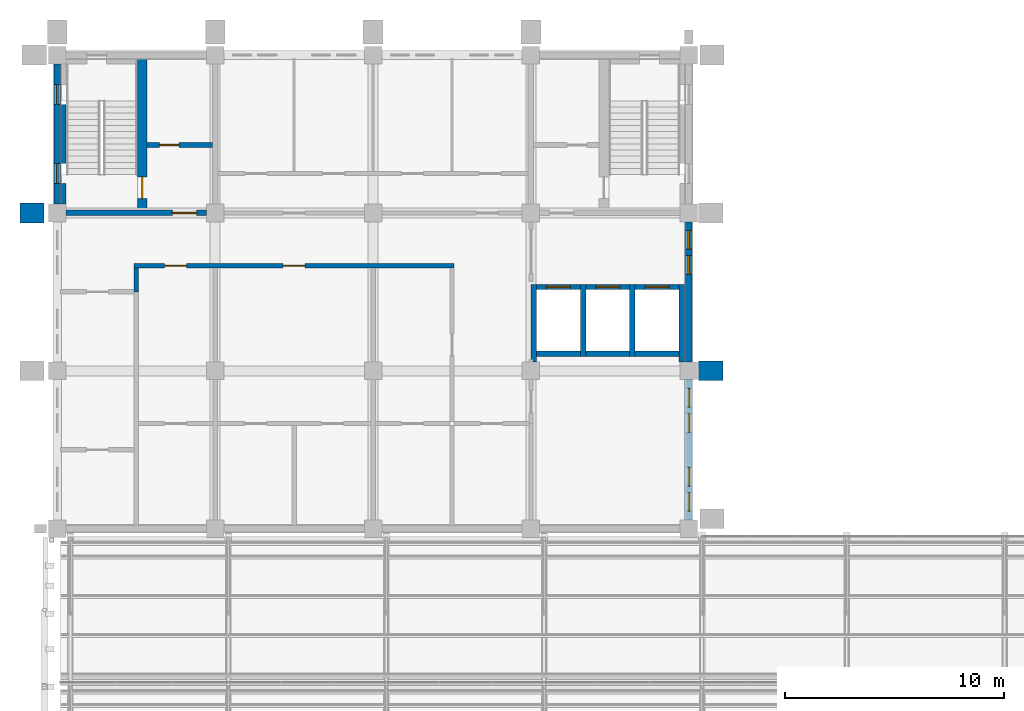
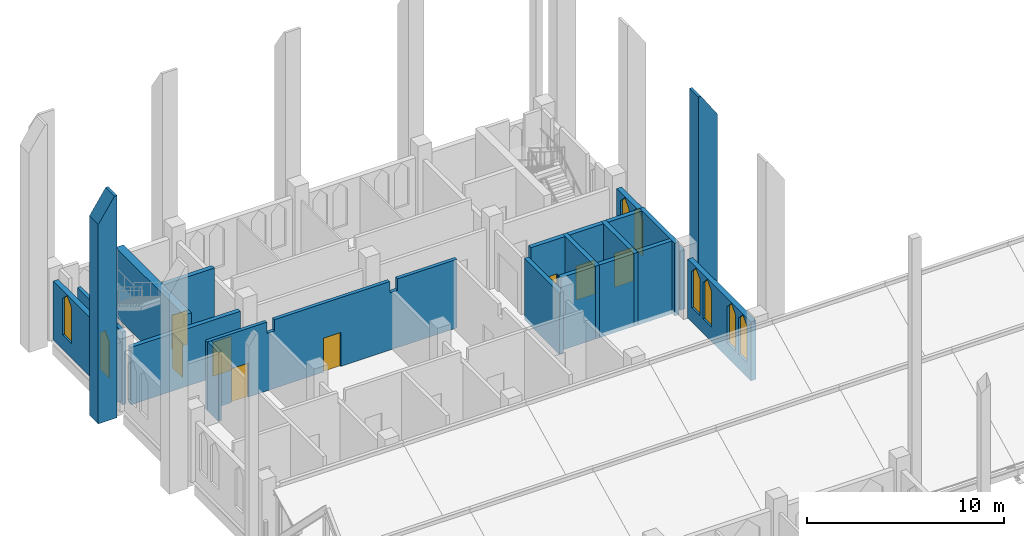
# One storey, part 22 of 29: 22 walls, 8 doors, 8 windows, 16 openings.
"""IFC4 building model written with IfcOpenShell, lengths in metres."""

from ifc_helpers import new_model, si_unit, direction, frame, frame_2d, origin, place, context, subcontext, project, spatial, polyline, rectangle, outline, extrude, material, layer, layer_set, type_object, element, fill, save


model = new_model("IFC4")

# Units and contexts
model_context = context("Model", 3, precision=1e-05, world=origin(), true_north=direction((0.0, 1.0)))
body_context = subcontext(model_context, "Body", "Model", "MODEL_VIEW")
ifc_project = project(units=[si_unit("LENGTHUNIT", "METRE"), si_unit("AREAUNIT", "SQUARE_METRE"), si_unit("VOLUMEUNIT", "CUBIC_METRE"), si_unit("PLANEANGLEUNIT", "RADIAN"), si_unit("MASSUNIT", "GRAM", prefix="KILO")], contexts=[model_context])

# Site, building, storey
site_placement = place(None, origin())
site = spatial("IfcSite", under=ifc_project, at=site_placement, CompositionType="ELEMENT")
building_placement = place(site_placement, origin())
building = spatial("IfcBuilding", under=site, at=building_placement, Name="Silangan Lancet Faculty of Sciences", CompositionType="ELEMENT")
storey_placement = place(building_placement, frame((0.0, 0.0, 40.800048828125)))
storey = spatial("IfcBuildingStorey", under=building, at=storey_placement, Name="L08", CompositionType="ELEMENT", Elevation=40.800048828125)

# Wall, openings, windows
ifc_material_1 = material(Name="Concrete C40/50 precast", Category="concrete")
ifc_layer_1 = layer(ifc_material_1, 0.300048828125)
ifc_layer_set_1 = layer_set([ifc_layer_1], Name="Concrete C40/50 precast")
wall_type_1 = type_object("IfcWallType", Name="EW1 Precast cladding wall", PredefinedType="STANDARD", material=ifc_layer_set_1)
wall_1_placement = place(storey_placement, frame((28.800048828125, 36.39990234375, 0.0), z_axis=(0.0, 0.0, 1.0), x_axis=(0.0, 1.0, 0.0)))
wall_1 = element("IfcWall", 1, at=wall_1_placement, inside=storey, type_object=wall_type_1, Name="EW-L08-E-NT-00", PredefinedType="STANDARD", context=body_context, shape_type="SweptSolid", body=[
    extrude(rectangle(XDim=6.400146484375, YDim=0.300048828125, at=frame_2d((3.2001953125, 0.0))), origin(), (0.0, 0.0, 1.0), 3.64990234375),
])
opening_1_placement = place(wall_1_placement, frame((0.39990234375, 0.0, 0.89990234375)))
opening_1 = element("IfcOpeningElement", 2, at=opening_1_placement, cuts=wall_1, Name="Opening W21", PredefinedType="OPENING", context=body_context, shape_type="SweptSolid", body=[
    extrude(outline(polyline([(0.0, 0.0), (0.85009765625, 0.0), (0.85009765625, 2.25), (0.425048828125, 2.699951171875), (0.0, 2.25), (0.0, 0.0)])), frame((0.0, 0.159912109375, 0.0), z_axis=(0.0, -1.0, 0.0), x_axis=(1.0, 0.0, 0.0)), (0.0, 0.0, 1.0), 0.320068359375),
])
opening_2_placement = place(wall_1_placement, frame((1.550048828125, 0.0, 0.89990234375)))
opening_2 = element("IfcOpeningElement", 3, at=opening_2_placement, cuts=wall_1, Name="Opening W21", PredefinedType="OPENING", context=body_context, shape_type="SweptSolid", body=[
    extrude(outline(polyline([(0.0, 0.0), (0.85009765625, 0.0), (0.85009765625, 2.25), (0.425048828125, 2.699951171875), (0.0, 2.25), (0.0, 0.0)])), frame((0.0, 0.159912109375, 0.0), z_axis=(0.0, -1.0, 0.0), x_axis=(1.0, 0.0, 0.0)), (0.0, 0.0, 1.0), 0.320068359375),
])
opening_3_placement = place(wall_1_placement, frame((4.0, 0.0, 0.89990234375)))
opening_3 = element("IfcOpeningElement", 4, at=opening_3_placement, cuts=wall_1, Name="Opening W21", PredefinedType="OPENING", context=body_context, shape_type="SweptSolid", body=[
    extrude(outline(polyline([(0.0, 0.0), (0.85009765625, 0.0), (0.85009765625, 2.25), (0.425048828125, 2.699951171875), (0.0, 2.25), (0.0, 0.0)])), frame((0.0, 0.159912109375, 0.0), z_axis=(0.0, -1.0, 0.0), x_axis=(1.0, 0.0, 0.0)), (0.0, 0.0, 1.0), 0.320068359375),
])
opening_4_placement = place(wall_1_placement, frame((5.14990234375, 0.0, 0.89990234375)))
opening_4 = element("IfcOpeningElement", 5, at=opening_4_placement, cuts=wall_1, Name="Opening W21", PredefinedType="OPENING", context=body_context, shape_type="SweptSolid", body=[
    extrude(outline(polyline([(0.0, 0.0), (0.85009765625, 0.0), (0.85009765625, 2.25), (0.425048828125, 2.699951171875), (0.0, 2.25), (0.0, 0.0)])), frame((0.0, 0.159912109375, 0.0), z_axis=(0.0, -1.0, 0.0), x_axis=(1.0, 0.0, 0.0)), (0.0, 0.0, 1.0), 0.320068359375),
])
ifc_material_2 = material(Name="Aluminium frame, laminated double glazing", Category="aluminium")
window_type_1 = type_object("IfcWindowType", Name="W21 Lancet window 850 x 2700", PartitioningType="SINGLE_PANEL", PredefinedType="WINDOW", material=ifc_material_2)
window_1_placement = place(opening_1_placement, origin())
window_1 = element("IfcWindow", 6, at=window_1_placement, inside=storey, type_object=window_type_1, Name="WIN-L08-E-NT-00a1", OverallHeight=2.699951171875, OverallWidth=0.85009765625, PartitioningType="SINGLE_PANEL", PredefinedType="WINDOW", context=body_context, shape_type="SweptSolid", body=[
    extrude(outline(polyline([(0.0, 0.0), (0.85009765625, 0.0), (0.85009765625, 2.25), (0.425048828125, 2.699951171875), (0.0, 2.25), (0.0, 0.0)])), frame((0.0, 0.030029296875, 0.0), z_axis=(0.0, -1.0, 0.0), x_axis=(1.0, 0.0, 0.0)), (0.0, 0.0, 1.0), 0.06005859375),
])
fill(opening_1, window_1)
window_2_placement = place(opening_2_placement, origin())
window_2 = element("IfcWindow", 7, at=window_2_placement, inside=storey, type_object=window_type_1, Name="WIN-L08-E-NT-00a2", OverallHeight=2.699951171875, OverallWidth=0.85009765625, PartitioningType="SINGLE_PANEL", PredefinedType="WINDOW", context=body_context, shape_type="SweptSolid", body=[
    extrude(outline(polyline([(0.0, 0.0), (0.85009765625, 0.0), (0.85009765625, 2.25), (0.425048828125, 2.699951171875), (0.0, 2.25), (0.0, 0.0)])), frame((0.0, 0.030029296875, 0.0), z_axis=(0.0, -1.0, 0.0), x_axis=(1.0, 0.0, 0.0)), (0.0, 0.0, 1.0), 0.06005859375),
])
fill(opening_2, window_2)
window_3_placement = place(opening_3_placement, origin())
window_3 = element("IfcWindow", 8, at=window_3_placement, inside=storey, type_object=window_type_1, Name="WIN-L08-E-NT-00b1", OverallHeight=2.699951171875, OverallWidth=0.85009765625, PartitioningType="SINGLE_PANEL", PredefinedType="WINDOW", context=body_context, shape_type="SweptSolid", body=[
    extrude(outline(polyline([(0.0, 0.0), (0.85009765625, 0.0), (0.85009765625, 2.25), (0.425048828125, 2.699951171875), (0.0, 2.25), (0.0, 0.0)])), frame((0.0, 0.030029296875, 0.0), z_axis=(0.0, -1.0, 0.0), x_axis=(1.0, 0.0, 0.0)), (0.0, 0.0, 1.0), 0.06005859375),
])
fill(opening_3, window_3)
window_4_placement = place(opening_4_placement, origin())
window_4 = element("IfcWindow", 9, at=window_4_placement, inside=storey, type_object=window_type_1, Name="WIN-L08-E-NT-00b2", OverallHeight=2.699951171875, OverallWidth=0.85009765625, PartitioningType="SINGLE_PANEL", PredefinedType="WINDOW", context=body_context, shape_type="SweptSolid", body=[
    extrude(outline(polyline([(0.0, 0.0), (0.85009765625, 0.0), (0.85009765625, 2.25), (0.425048828125, 2.699951171875), (0.0, 2.25), (0.0, 0.0)])), frame((0.0, 0.030029296875, 0.0), z_axis=(0.0, -1.0, 0.0), x_axis=(1.0, 0.0, 0.0)), (0.0, 0.0, 1.0), 0.06005859375),
])
fill(opening_4, window_4)

wall_2_placement = place(storey_placement, frame((28.800048828125, 43.60009765625, 0.0), z_axis=(0.0, 0.0, 1.0), x_axis=(0.0, 1.0, 0.0)))
wall_2 = element("IfcWall", 10, at=wall_2_placement, inside=storey, type_object=wall_type_1, Name="EW-L08-E-NT-01", PredefinedType="STANDARD", context=body_context, shape_type="SweptSolid", body=[
    extrude(rectangle(XDim=6.39990234375, YDim=0.300048828125, at=frame_2d((3.199951171875, 0.0))), origin(), (0.0, 0.0, 1.0), 3.64990234375),
])
opening_5_placement = place(wall_2_placement, frame((4.0, 0.0, 0.89990234375)))
opening_5 = element("IfcOpeningElement", 11, at=opening_5_placement, cuts=wall_2, Name="Opening W21", PredefinedType="OPENING", context=body_context, shape_type="SweptSolid", body=[
    extrude(outline(polyline([(0.0, 0.0), (0.85009765625, 0.0), (0.85009765625, 2.25), (0.425048828125, 2.699951171875), (0.0, 2.25), (0.0, 0.0)])), frame((0.0, 0.159912109375, 0.0), z_axis=(0.0, -1.0, 0.0), x_axis=(1.0, 0.0, 0.0)), (0.0, 0.0, 1.0), 0.320068359375),
])
opening_6_placement = place(wall_2_placement, frame((5.14990234375, 0.0, 0.89990234375)))
opening_6 = element("IfcOpeningElement", 12, at=opening_6_placement, cuts=wall_2, Name="Opening W21", PredefinedType="OPENING", context=body_context, shape_type="SweptSolid", body=[
    extrude(outline(polyline([(0.0, 0.0), (0.85009765625, 0.0), (0.85009765625, 2.25), (0.425048828125, 2.699951171875), (0.0, 2.25), (0.0, 0.0)])), frame((0.0, 0.159912109375, 0.0), z_axis=(0.0, -1.0, 0.0), x_axis=(1.0, 0.0, 0.0)), (0.0, 0.0, 1.0), 0.320068359375),
])
window_5_placement = place(opening_5_placement, origin())
window_5 = element("IfcWindow", 13, at=window_5_placement, inside=storey, type_object=window_type_1, Name="WIN-L08-E-NT-01b1", OverallHeight=2.699951171875, OverallWidth=0.85009765625, PartitioningType="SINGLE_PANEL", PredefinedType="WINDOW", context=body_context, shape_type="SweptSolid", body=[
    extrude(outline(polyline([(0.0, 0.0), (0.85009765625, 0.0), (0.85009765625, 2.25), (0.425048828125, 2.699951171875), (0.0, 2.25), (0.0, 0.0)])), frame((0.0, 0.030029296875, 0.0), z_axis=(0.0, -1.0, 0.0), x_axis=(1.0, 0.0, 0.0)), (0.0, 0.0, 1.0), 0.06005859375),
])
fill(opening_5, window_5)
window_6_placement = place(opening_6_placement, origin())
window_6 = element("IfcWindow", 14, at=window_6_placement, inside=storey, type_object=window_type_1, Name="WIN-L08-E-NT-01b2", OverallHeight=2.699951171875, OverallWidth=0.85009765625, PartitioningType="SINGLE_PANEL", PredefinedType="WINDOW", context=body_context, shape_type="SweptSolid", body=[
    extrude(outline(polyline([(0.0, 0.0), (0.85009765625, 0.0), (0.85009765625, 2.25), (0.425048828125, 2.699951171875), (0.0, 2.25), (0.0, 0.0)])), frame((0.0, 0.030029296875, 0.0), z_axis=(0.0, -1.0, 0.0), x_axis=(1.0, 0.0, 0.0)), (0.0, 0.0, 1.0), 0.06005859375),
])
fill(opening_6, window_6)

ifc_material_3 = material(Name="Concrete C40/50 precast", Category="concrete")
ifc_layer_2 = layer(ifc_material_3, 0.300048828125)
ifc_layer_set_2 = layer_set([ifc_layer_2], Name="Concrete C40/50 precast")
wall_type_2 = type_object("IfcWallType", Name="EW2 Turret enclosure wall", PredefinedType="STANDARD", material=ifc_layer_set_2)
wall_3_placement = place(storey_placement, frame((0.0, 50.800048828125, 0.0), z_axis=(0.0, 0.0, 1.0), x_axis=(0.0, 1.0, 0.0)))
wall_3 = element("IfcWall", 15, at=wall_3_placement, inside=storey, type_object=wall_type_2, Name="EW-L08-W-NT-02", PredefinedType="STANDARD", context=body_context, shape_type="SweptSolid", body=[
    extrude(rectangle(XDim=6.39990234375, YDim=0.300048828125, at=frame_2d((3.199951171875, 0.0))), origin(), (0.0, 0.0, 1.0), 3.64990234375),
])
opening_7_placement = place(wall_3_placement, frame((0.949951171875, 0.0, 0.89990234375)))
opening_7 = element("IfcOpeningElement", 16, at=opening_7_placement, cuts=wall_3, Name="Opening W22", PredefinedType="OPENING", context=body_context, shape_type="SweptSolid", body=[
    extrude(outline(polyline([(0.0, 0.0), (0.89990234375, 0.0), (0.89990234375, 2.25), (0.449951171875, 2.699951171875), (0.0, 2.25), (0.0, 0.0)])), frame((0.0, 0.159912109375, 0.0), z_axis=(0.0, -1.0, 0.0), x_axis=(1.0, 0.0, 0.0)), (0.0, 0.0, 1.0), 0.320068359375),
])
opening_8_placement = place(wall_3_placement, frame((4.550048828125, 0.0, 0.89990234375)))
opening_8 = element("IfcOpeningElement", 17, at=opening_8_placement, cuts=wall_3, Name="Opening W22", PredefinedType="OPENING", context=body_context, shape_type="SweptSolid", body=[
    extrude(outline(polyline([(0.0, 0.0), (0.89990234375, 0.0), (0.89990234375, 2.25), (0.449951171875, 2.699951171875), (0.0, 2.25), (0.0, 0.0)])), frame((0.0, 0.159912109375, 0.0), z_axis=(0.0, -1.0, 0.0), x_axis=(1.0, 0.0, 0.0)), (0.0, 0.0, 1.0), 0.320068359375),
])
ifc_material_4 = material(Name="Aluminium frame, laminated double glazing", Category="aluminium")
window_type_2 = type_object("IfcWindowType", Name="W22 Lancet window 900 x 2700", PartitioningType="SINGLE_PANEL", PredefinedType="WINDOW", material=ifc_material_4)
window_7_placement = place(opening_7_placement, origin())
window_7 = element("IfcWindow", 18, at=window_7_placement, inside=storey, type_object=window_type_2, Name="WIN-L08-W-NT-02a", OverallHeight=2.699951171875, OverallWidth=0.89990234375, PartitioningType="SINGLE_PANEL", PredefinedType="WINDOW", context=body_context, shape_type="SweptSolid", body=[
    extrude(outline(polyline([(0.0, 0.0), (0.89990234375, 0.0), (0.89990234375, 2.25), (0.449951171875, 2.699951171875), (0.0, 2.25), (0.0, 0.0)])), frame((0.0, 0.030029296875, 0.0), z_axis=(0.0, -1.0, 0.0), x_axis=(1.0, 0.0, 0.0)), (0.0, 0.0, 1.0), 0.06005859375),
])
fill(opening_7, window_7)
window_8_placement = place(opening_8_placement, origin())
window_8 = element("IfcWindow", 19, at=window_8_placement, inside=storey, type_object=window_type_2, Name="WIN-L08-W-NT-02b", OverallHeight=2.699951171875, OverallWidth=0.89990234375, PartitioningType="SINGLE_PANEL", PredefinedType="WINDOW", context=body_context, shape_type="SweptSolid", body=[
    extrude(outline(polyline([(0.0, 0.0), (0.89990234375, 0.0), (0.89990234375, 2.25), (0.449951171875, 2.699951171875), (0.0, 2.25), (0.0, 0.0)])), frame((0.0, 0.030029296875, 0.0), z_axis=(0.0, -1.0, 0.0), x_axis=(1.0, 0.0, 0.0)), (0.0, 0.0, 1.0), 0.06005859375),
])
fill(opening_8, window_8)

# Walls
ifc_material_5 = material(Name="Concrete C40/50 precast", Category="concrete")
ifc_layer_3 = layer(ifc_material_5, 0.89990234375)
ifc_layer_set_3 = layer_set([ifc_layer_3], Name="Concrete C40/50 precast")
wall_type_3 = type_object("IfcWallType", Name="FN27 Buttress Fin column line stage 3 13750", PredefinedType="POLYGONAL", material=ifc_layer_set_3)
wall_4_placement = place(storey_placement, frame((-0.60009765625, 50.39990234375, -0.25), z_axis=(0.0, 0.0, 1.0), x_axis=(-1.0, 0.0, 0.0)))
element("IfcWall", 20, at=wall_4_placement, inside=storey, type_object=wall_type_3, Name="FINC-W-NT-02-S3", PredefinedType="POLYGONAL", context=body_context, shape_type="SweptSolid", body=[
    extrude(outline(polyline([(1.10009765625, 0.0), (1.10009765625, 12.324951171875), (0.14990234375, 13.75), (0.0, 13.75), (0.0, 0.0), (1.10009765625, 0.0)])), frame((0.0, 0.449951171875, 0.0), z_axis=(0.0, -1.0, 0.0), x_axis=(1.0, 0.0, 0.0)), (0.0, 0.0, 1.0), 0.89990234375),
])
ifc_material_6 = material(Name="Concrete C40/50 precast", Category="concrete")
ifc_layer_4 = layer(ifc_material_6, 0.89990234375)
ifc_layer_set_4 = layer_set([ifc_layer_4], Name="Concrete C40/50 precast")
wall_type_4 = type_object("IfcWallType", Name="FN48 Buttress Fin column line stage 3 13750", PredefinedType="POLYGONAL", material=ifc_layer_set_4)
wall_5_placement = place(storey_placement, frame((29.25, 43.199951171875, -0.25), z_axis=(0.0, 0.0, 1.0), x_axis=(1.0, 0.0, 0.0)))
element("IfcWall", 21, at=wall_5_placement, inside=storey, type_object=wall_type_4, Name="FINC-E-NT-02-S3", PredefinedType="POLYGONAL", context=body_context, shape_type="SweptSolid", body=[
    extrude(outline(polyline([(1.10009765625, 0.0), (1.10009765625, 12.324951171875), (0.14990234375, 13.75), (0.0, 13.75), (0.0, 0.0), (1.10009765625, 0.0)])), frame((0.0, 0.449951171875, 0.0), z_axis=(0.0, -1.0, 0.0), x_axis=(1.0, 0.0, 0.0)), (0.0, 0.0, 1.0), 0.89990234375),
])

# Wall, openings, doors
ifc_material_7 = material(Name="Hollow block masonry fm 7 MPa", Category="masonry")
ifc_layer_5 = layer(ifc_material_7, 0.199951171875)
ifc_layer_set_5 = layer_set([ifc_layer_5], Name="Hollow block masonry fm 7 MPa")
wall_type_5 = type_object("IfcWallType", Name="Interior wall PW1 Corridor wall CHB 200", PredefinedType="PARTITIONING", material=ifc_layer_set_5)
wall_6_placement = place(storey_placement, frame((3.5, 48.0, 0.0), z_axis=(0.0, 0.0, 1.0), x_axis=(1.0, 0.0, 0.0)))
wall_6 = element("IfcWall", 22, at=wall_6_placement, inside=storey, type_object=wall_type_5, Name="Corridor wall CHB 200", PredefinedType="PARTITIONING", context=body_context, shape_type="SweptSolid", body=[
    extrude(outline(polyline([(0.0, 0.0), (14.60009765625, 0.0), (14.60009765625, 4.25), (11.125, 4.25), (11.125, 3.550048828125), (10.675048828125, 3.550048828125), (10.675048828125, 4.25), (3.925048828125, 4.25), (3.925048828125, 3.550048828125), (3.47509765625, 3.550048828125), (3.47509765625, 4.25), (0.0, 4.25), (0.0, 0.0)])), frame((0.0, 0.10009765625, 0.0), z_axis=(0.0, -1.0, 0.0), x_axis=(1.0, 0.0, 0.0)), (0.0, 0.0, 1.0), 0.199951171875),
])
opening_9_placement = place(wall_6_placement, frame((1.39990234375, 0.0, 0.0)))
opening_9 = element("IfcOpeningElement", 23, at=opening_9_placement, cuts=wall_6, Name="Opening L08-026", PredefinedType="OPENING", context=body_context, shape_type="SweptSolid", body=[
    extrude(rectangle(XDim=1.0, YDim=2.10009765625, at=frame_2d((0.5, 1.050048828125))), frame((0.0, 0.10986328125, 0.0), z_axis=(0.0, -1.0, 0.0), x_axis=(1.0, 0.0, 0.0)), (0.0, 0.0, 1.0), 0.219970703125),
])
opening_10_placement = place(wall_6_placement, frame((6.800048828125, 0.0, 0.0)))
opening_10 = element("IfcOpeningElement", 24, at=opening_10_placement, cuts=wall_6, Name="Opening L08-028", PredefinedType="OPENING", context=body_context, shape_type="SweptSolid", body=[
    extrude(rectangle(XDim=1.0, YDim=2.10009765625, at=frame_2d((0.5, 1.050048828125))), frame((0.0, 0.10986328125, 0.0), z_axis=(0.0, -1.0, 0.0), x_axis=(1.0, 0.0, 0.0)), (0.0, 0.0, 1.0), 0.219970703125),
])
ifc_material_8 = material(Name="Steel fire door set", Category="steel")
door_type_1 = type_object("IfcDoorType", Name="Door D1 Single leaf fire door 1000 x 2100", OperationType="SINGLE_SWING_LEFT", PredefinedType="DOOR", material=ifc_material_8)
door_1_placement = place(opening_9_placement, frame((1.0, 0.0, 0.0), z_axis=(0.0, 0.0, 1.0), x_axis=(-1.0, 0.0, 0.0)))
door_1 = element("IfcDoor", 25, at=door_1_placement, inside=storey, type_object=door_type_1, Name="Single leaf fire door 1000 x 2100", OperationType="SINGLE_SWING_RIGHT", OverallHeight=2.10009765625, OverallWidth=1.0, PredefinedType="DOOR", context=body_context, shape_type="SweptSolid", body=[
    extrude(rectangle(XDim=1.0, YDim=2.10009765625, at=frame_2d((0.5, 1.050048828125))), frame((0.0, 0.025146484375, 0.0), z_axis=(0.0, -1.0, 0.0), x_axis=(1.0, 0.0, 0.0)), (0.0, 0.0, 1.0), 0.050048828125),
])
fill(opening_9, door_1)
door_2_placement = place(opening_10_placement, frame((1.0, 0.0, 0.0), z_axis=(0.0, 0.0, 1.0), x_axis=(-1.0, 0.0, 0.0)))
door_2 = element("IfcDoor", 26, at=door_2_placement, inside=storey, type_object=door_type_1, Name="Single leaf fire door 1000 x 2100", OperationType="SINGLE_SWING_RIGHT", OverallHeight=2.10009765625, OverallWidth=1.0, PredefinedType="DOOR", context=body_context, shape_type="SweptSolid", body=[
    extrude(rectangle(XDim=1.0, YDim=2.10009765625, at=frame_2d((0.5, 1.050048828125))), frame((0.0, 0.025146484375, 0.0), z_axis=(0.0, -1.0, 0.0), x_axis=(1.0, 0.0, 0.0)), (0.0, 0.0, 1.0), 0.050048828125),
])
fill(opening_10, door_2)

# Walls
wall_7_placement = place(storey_placement, frame((3.60009765625, 46.800048828125, 0.0), z_axis=(0.0, 0.0, 1.0), x_axis=(0.0, 1.0, 0.0)))
element("IfcWall", 27, at=wall_7_placement, inside=storey, type_object=wall_type_5, Name="Corridor wall CHB 200", PredefinedType="PARTITIONING", context=body_context, shape_type="SweptSolid", body=[
    extrude(rectangle(XDim=1.099853515625, YDim=0.199951171875, at=frame_2d((0.5498046875, 0.0))), origin(), (0.0, 0.0, 1.0), 4.25),
])
ifc_material_9 = material(Name="Concrete C40/50", Category="concrete")
ifc_layer_6 = layer(ifc_material_9, 0.25)
ifc_layer_set_6 = layer_set([ifc_layer_6], Name="Concrete C40/50")
wall_type_6 = type_object("IfcWallType", Name="LIFT SHAFT WALL RC 250", PredefinedType="SHEAR", material=ifc_layer_set_6)
wall_8_placement = place(storey_placement, frame((21.72509765625, 43.60009765625, -0.25), z_axis=(0.0, 0.0, 1.0), x_axis=(0.0, 1.0, 0.0)))
element("IfcWall", 28, at=wall_8_placement, inside=storey, type_object=wall_type_6, Name="WALL-L08-NT-SW1", PredefinedType="SHEAR", context=body_context, shape_type="SweptSolid", body=[
    extrude(rectangle(XDim=3.5498046875, YDim=0.25, at=frame_2d((1.77490234375, 0.0))), origin(), (0.0, 0.0, 1.0), 3.800048828125),
])
for number, where, z_axis, x_axis, name in (
    (29, (23.97509765625, 43.85009765625, -0.25), (0.0, 0.0, 1.0), (0.0, 1.0, 0.0), "WALL-L08-NT-SW2"),
    (30, (26.22509765625, 43.85009765625, -0.25), (0.0, 0.0, 1.0), (0.0, 1.0, 0.0), "WALL-L08-NT-SW3"),
):
    element("IfcWall", number, at=place(storey_placement, frame(where, z_axis=z_axis, x_axis=x_axis)), inside=storey, type_object=wall_type_6, Name=name, PredefinedType="SHEAR", context=body_context, shape_type="SweptSolid", body=[
        extrude(rectangle(XDim=3.2998046875, YDim=0.25, at=frame_2d((1.64990234375, 0.0))), origin(), (0.0, 0.0, 1.0), 4.5),
    ])
wall_9_placement = place(storey_placement, frame((28.47509765625, 43.60009765625, -0.25), z_axis=(0.0, 0.0, 1.0), x_axis=(0.0, 1.0, 0.0)))
element("IfcWall", 31, at=wall_9_placement, inside=storey, type_object=wall_type_6, Name="WALL-L08-NT-SW4", PredefinedType="SHEAR", context=body_context, shape_type="SweptSolid", body=[
    extrude(rectangle(XDim=3.5498046875, YDim=0.25, at=frame_2d((1.77490234375, 0.0))), origin(), (0.0, 0.0, 1.0), 4.5),
])

# Wall, opening, door
wall_10_placement = place(storey_placement, frame((21.85009765625, 47.02490234375, -0.25), z_axis=(0.0, 0.0, 1.0), x_axis=(1.0, 0.0, 0.0)))
wall_10 = element("IfcWall", 32, at=wall_10_placement, inside=storey, type_object=wall_type_6, Name="WALL-L08-NT-L1-F", PredefinedType="SHEAR", context=body_context, shape_type="SweptSolid", body=[
    extrude(rectangle(XDim=2.0, YDim=0.25, at=frame_2d((1.0, 0.0))), origin(), (0.0, 0.0, 1.0), 4.5),
])
opening_11_placement = place(wall_10_placement, frame((0.449951171875, 0.0, 0.25)))
opening_11 = element("IfcOpeningElement", 33, at=opening_11_placement, cuts=wall_10, Name="Opening L08-801", PredefinedType="OPENING", context=body_context, shape_type="SweptSolid", body=[
    extrude(rectangle(XDim=1.10009765625, YDim=2.10009765625, at=frame_2d((0.550048828125, 1.050048828125))), frame((0.0, 0.135009765625, 0.0), z_axis=(0.0, -1.0, 0.0), x_axis=(1.0, 0.0, 0.0)), (0.0, 0.0, 1.0), 0.27001953125),
])
ifc_material_10 = material(Name="Stainless steel sliding door", Category="steel")
door_type_2 = type_object("IfcDoorType", Name="LD1 Lift landing door 1100x2100", OperationType="SLIDING_TO_LEFT", PredefinedType="DOOR", material=ifc_material_10)
door_3_placement = place(opening_11_placement, origin())
door_3 = element("IfcDoor", 34, at=door_3_placement, inside=storey, type_object=door_type_2, Name="Landing door NT-L1 L08", OperationType="SLIDING_TO_LEFT", OverallHeight=2.10009765625, OverallWidth=1.10009765625, PredefinedType="DOOR", context=body_context, shape_type="SweptSolid", body=[
    extrude(rectangle(XDim=1.10009765625, YDim=2.10009765625, at=frame_2d((0.550048828125, 1.050048828125))), frame((0.0, 0.02490234375, 0.0), z_axis=(0.0, -1.0, 0.0), x_axis=(1.0, 0.0, 0.0)), (0.0, 0.0, 1.0), 0.050048828125),
])
fill(opening_11, door_3)

# Wall
wall_11_placement = place(storey_placement, frame((21.85009765625, 43.97509765625, -0.25), z_axis=(0.0, 0.0, 1.0), x_axis=(1.0, 0.0, 0.0)))
element("IfcWall", 35, at=wall_11_placement, inside=storey, type_object=wall_type_6, Name="WALL-L08-NT-L1-B", PredefinedType="SHEAR", context=body_context, shape_type="SweptSolid", body=[
    extrude(rectangle(XDim=2.0, YDim=0.25, at=frame_2d((1.0, 0.0))), origin(), (0.0, 0.0, 1.0), 4.5),
])

# Wall, opening, door
wall_12_placement = place(storey_placement, frame((24.10009765625, 47.02490234375, -0.25), z_axis=(0.0, 0.0, 1.0), x_axis=(1.0, 0.0, 0.0)))
wall_12 = element("IfcWall", 36, at=wall_12_placement, inside=storey, type_object=wall_type_6, Name="WALL-L08-NT-L2-F", PredefinedType="SHEAR", context=body_context, shape_type="SweptSolid", body=[
    extrude(rectangle(XDim=2.0, YDim=0.25, at=frame_2d((1.0, 0.0))), origin(), (0.0, 0.0, 1.0), 4.5),
])
opening_12_placement = place(wall_12_placement, frame((0.449951171875, 0.0, 0.25)))
opening_12 = element("IfcOpeningElement", 37, at=opening_12_placement, cuts=wall_12, Name="Opening L08-802", PredefinedType="OPENING", context=body_context, shape_type="SweptSolid", body=[
    extrude(rectangle(XDim=1.10009765625, YDim=2.10009765625, at=frame_2d((0.550048828125, 1.050048828125))), frame((0.0, 0.135009765625, 0.0), z_axis=(0.0, -1.0, 0.0), x_axis=(1.0, 0.0, 0.0)), (0.0, 0.0, 1.0), 0.27001953125),
])
door_4_placement = place(opening_12_placement, origin())
door_4 = element("IfcDoor", 38, at=door_4_placement, inside=storey, type_object=door_type_2, Name="Landing door NT-L2 L08", OperationType="SLIDING_TO_LEFT", OverallHeight=2.10009765625, OverallWidth=1.10009765625, PredefinedType="DOOR", context=body_context, shape_type="SweptSolid", body=[
    extrude(rectangle(XDim=1.10009765625, YDim=2.10009765625, at=frame_2d((0.550048828125, 1.050048828125))), frame((0.0, 0.02490234375, 0.0), z_axis=(0.0, -1.0, 0.0), x_axis=(1.0, 0.0, 0.0)), (0.0, 0.0, 1.0), 0.050048828125),
])
fill(opening_12, door_4)

# Wall
wall_13_placement = place(storey_placement, frame((24.10009765625, 43.97509765625, -0.25), z_axis=(0.0, 0.0, 1.0), x_axis=(1.0, 0.0, 0.0)))
element("IfcWall", 39, at=wall_13_placement, inside=storey, type_object=wall_type_6, Name="WALL-L08-NT-L2-B", PredefinedType="SHEAR", context=body_context, shape_type="SweptSolid", body=[
    extrude(rectangle(XDim=2.0, YDim=0.25, at=frame_2d((1.0, 0.0))), origin(), (0.0, 0.0, 1.0), 4.5),
])

# Wall, opening, door
wall_14_placement = place(storey_placement, frame((26.35009765625, 47.02490234375, -0.25), z_axis=(0.0, 0.0, 1.0), x_axis=(1.0, 0.0, 0.0)))
wall_14 = element("IfcWall", 40, at=wall_14_placement, inside=storey, type_object=wall_type_6, Name="WALL-L08-NT-L3-F", PredefinedType="SHEAR", context=body_context, shape_type="SweptSolid", body=[
    extrude(rectangle(XDim=2.0, YDim=0.25, at=frame_2d((1.0, 0.0))), origin(), (0.0, 0.0, 1.0), 4.5),
])
opening_13_placement = place(wall_14_placement, frame((0.449951171875, 0.0, 0.25)))
opening_13 = element("IfcOpeningElement", 41, at=opening_13_placement, cuts=wall_14, Name="Opening L08-803", PredefinedType="OPENING", context=body_context, shape_type="SweptSolid", body=[
    extrude(rectangle(XDim=1.10009765625, YDim=2.10009765625, at=frame_2d((0.550048828125, 1.050048828125))), frame((0.0, 0.135009765625, 0.0), z_axis=(0.0, -1.0, 0.0), x_axis=(1.0, 0.0, 0.0)), (0.0, 0.0, 1.0), 0.27001953125),
])
door_5_placement = place(opening_13_placement, origin())
door_5 = element("IfcDoor", 42, at=door_5_placement, inside=storey, type_object=door_type_2, Name="Landing door NT-L3 L08", OperationType="SLIDING_TO_LEFT", OverallHeight=2.10009765625, OverallWidth=1.10009765625, PredefinedType="DOOR", context=body_context, shape_type="SweptSolid", body=[
    extrude(rectangle(XDim=1.10009765625, YDim=2.10009765625, at=frame_2d((0.550048828125, 1.050048828125))), frame((0.0, 0.02490234375, 0.0), z_axis=(0.0, -1.0, 0.0), x_axis=(1.0, 0.0, 0.0)), (0.0, 0.0, 1.0), 0.050048828125),
])
fill(opening_13, door_5)

# Wall
wall_15_placement = place(storey_placement, frame((26.35009765625, 43.97509765625, -0.25), z_axis=(0.0, 0.0, 1.0), x_axis=(1.0, 0.0, 0.0)))
element("IfcWall", 43, at=wall_15_placement, inside=storey, type_object=wall_type_6, Name="WALL-L08-NT-L3-B", PredefinedType="SHEAR", context=body_context, shape_type="SweptSolid", body=[
    extrude(rectangle(XDim=2.0, YDim=0.25, at=frame_2d((1.0, 0.0))), origin(), (0.0, 0.0, 1.0), 4.5),
])

# Wall, opening, door
ifc_material_11 = material(Name="Concrete C40/50", Category="concrete")
ifc_layer_7 = layer(ifc_material_11, 0.449951171875)
ifc_layer_set_7 = layer_set([ifc_layer_7], Name="Concrete C40/50")
wall_type_7 = type_object("IfcWallType", Name="TURRET CORE WALL RC 450", PredefinedType="SHEAR", material=ifc_layer_set_7)
wall_16_placement = place(storey_placement, frame((3.875, 50.52490234375, 0.0), z_axis=(0.0, 0.0, 1.0), x_axis=(0.0, 1.0, 0.0)))
wall_16 = element("IfcWall", 44, at=wall_16_placement, inside=storey, type_object=wall_type_7, Name="WALL-L08-NT-A-WELL", PredefinedType="SHEAR", context=body_context, shape_type="SweptSolid", body=[
    extrude(rectangle(XDim=6.925048828125, YDim=0.449951171875, at=frame_2d((3.46240234375, 0.0))), origin(), (0.0, 0.0, 1.0), 4.25),
])
opening_14_placement = place(wall_16_placement, frame((0.52490234375, 0.0, 0.0)))
opening_14 = element("IfcOpeningElement", 45, at=opening_14_placement, cuts=wall_16, Name="Opening L08-701", PredefinedType="OPENING", context=body_context, shape_type="SweptSolid", body=[
    extrude(rectangle(XDim=1.0, YDim=2.10009765625, at=frame_2d((0.5, 1.050048828125))), frame((0.0, 0.23486328125, 0.0), z_axis=(0.0, -1.0, 0.0), x_axis=(1.0, 0.0, 0.0)), (0.0, 0.0, 1.0), 0.469970703125),
])
ifc_material_12 = material(Name="Steel fire door set", Category="steel")
door_type_3 = type_object("IfcDoorType", Name="D71 Stair enclosure door 1000x2100", OperationType="SINGLE_SWING_LEFT", PredefinedType="DOOR", material=ifc_material_12)
door_6_placement = place(opening_14_placement, origin())
door_6 = element("IfcDoor", 46, at=door_6_placement, inside=storey, type_object=door_type_3, Name="Stair enclosure door NT-A L08", OperationType="SINGLE_SWING_LEFT", OverallHeight=2.10009765625, OverallWidth=1.0, PredefinedType="DOOR", context=body_context, shape_type="SweptSolid", body=[
    extrude(rectangle(XDim=1.0, YDim=2.10009765625, at=frame_2d((0.5, 1.050048828125))), frame((0.0, 0.02490234375, 0.0), z_axis=(0.0, -1.0, 0.0), x_axis=(1.0, 0.0, 0.0)), (0.0, 0.0, 1.0), 0.050048828125),
])
fill(opening_14, door_6)

# Walls
ifc_material_13 = material(Name="Concrete C40/50", Category="concrete")
ifc_layer_8 = layer(ifc_material_13, 0.199951171875)
ifc_layer_set_8 = layer_set([ifc_layer_8], Name="Concrete C40/50")
wall_type_8 = type_object("IfcWallType", Name="TURRET LINING WALL RC 200", PredefinedType="SHEAR", material=ifc_layer_set_8)
wall_17_placement = place(storey_placement, frame((0.300048828125, 50.800048828125, -0.25), z_axis=(0.0, 0.0, 1.0), x_axis=(0.0, 1.0, 0.0)))
element("IfcWall", 47, at=wall_17_placement, inside=storey, type_object=wall_type_8, Name="WALL-L08-NT-A-WL", PredefinedType="SHEAR", context=body_context, shape_type="SweptSolid", body=[
    extrude(rectangle(XDim=0.949951171875, YDim=0.199951171875, at=frame_2d((0.47509765625, 0.0))), origin(), (0.0, 0.0, 1.0), 4.5),
])
wall_18_placement = place(storey_placement, frame((0.300048828125, 52.64990234375, -0.25), z_axis=(0.0, 0.0, 1.0), x_axis=(0.0, 1.0, 0.0)))
element("IfcWall", 48, at=wall_18_placement, inside=storey, type_object=wall_type_8, Name="WALL-L08-NT-A-WL-2", PredefinedType="SHEAR", context=body_context, shape_type="SweptSolid", body=[
    extrude(rectangle(XDim=2.7001953125, YDim=0.199951171875, at=frame_2d((1.35009765625, 0.0))), origin(), (0.0, 0.0, 1.0), 4.5),
])

# Wall, opening, door
ifc_material_14 = material(Name="Concrete C40/50", Category="concrete")
ifc_layer_9 = layer(ifc_material_14, 0.25)
ifc_layer_set_9 = layer_set([ifc_layer_9], Name="Concrete C40/50")
wall_type_9 = type_object("IfcWallType", Name="TURRET WALL RC 250", PredefinedType="SHEAR", material=ifc_layer_set_9)
wall_19_placement = place(storey_placement, frame((0.39990234375, 50.39990234375, 0.0), z_axis=(0.0, 0.0, 1.0), x_axis=(1.0, 0.0, 0.0)))
wall_19 = element("IfcWall", 49, at=wall_19_placement, inside=storey, type_object=wall_type_9, Name="WALL-L08-NT-A-V", PredefinedType="SHEAR", context=body_context, shape_type="SweptSolid", body=[
    extrude(rectangle(XDim=6.400146484375, YDim=0.25, at=frame_2d((3.2001953125, 0.0))), origin(), (0.0, 0.0, 1.0), 3.550048828125),
])
opening_15_placement = place(wall_19_placement, frame((4.85009765625, 0.0, 0.0)))
opening_15 = element("IfcOpeningElement", 50, at=opening_15_placement, cuts=wall_19, Name="Opening L08-702", PredefinedType="OPENING", context=body_context, shape_type="SweptSolid", body=[
    extrude(rectangle(XDim=1.10009765625, YDim=2.10009765625, at=frame_2d((0.550048828125, 1.050048828125))), frame((0.0, 0.135009765625, 0.0), z_axis=(0.0, -1.0, 0.0), x_axis=(1.0, 0.0, 0.0)), (0.0, 0.0, 1.0), 0.27001953125),
])
ifc_material_15 = material(Name="Steel fire door set", Category="steel")
door_type_4 = type_object("IfcDoorType", Name="D70 Stair vestibule door 1100x2100", OperationType="SINGLE_SWING_LEFT", PredefinedType="DOOR", material=ifc_material_15)
door_7_placement = place(opening_15_placement, origin())
door_7 = element("IfcDoor", 51, at=door_7_placement, inside=storey, type_object=door_type_4, Name="Stair vestibule door NT-A L08", OperationType="SINGLE_SWING_RIGHT", OverallHeight=2.10009765625, OverallWidth=1.10009765625, PredefinedType="DOOR", context=body_context, shape_type="SweptSolid", body=[
    extrude(rectangle(XDim=1.10009765625, YDim=2.10009765625, at=frame_2d((0.550048828125, 1.050048828125))), frame((0.0, 0.02490234375, 0.0), z_axis=(0.0, -1.0, 0.0), x_axis=(1.0, 0.0, 0.0)), (0.0, 0.0, 1.0), 0.050048828125),
])
fill(opening_15, door_7)

wall_20_placement = place(storey_placement, frame((4.10009765625, 53.5, 0.0), z_axis=(0.0, 0.0, 1.0), x_axis=(1.0, 0.0, 0.0)))
wall_20 = element("IfcWall", 52, at=wall_20_placement, inside=storey, type_object=wall_type_9, Name="WALL-L08-NT-A-RISER", PredefinedType="SHEAR", context=body_context, shape_type="SweptSolid", body=[
    extrude(rectangle(XDim=2.974853515625, YDim=0.25, at=frame_2d((1.4873046875, 0.0))), origin(), (0.0, 0.0, 1.0), 4.25),
])
opening_16_placement = place(wall_20_placement, frame((0.550048828125, 0.0, 0.0)))
opening_16 = element("IfcOpeningElement", 53, at=opening_16_placement, cuts=wall_20, Name="Opening L08-703", PredefinedType="OPENING", context=body_context, shape_type="SweptSolid", body=[
    extrude(rectangle(XDim=0.89990234375, YDim=2.10009765625, at=frame_2d((0.449951171875, 1.050048828125))), frame((0.0, 0.135009765625, 0.0), z_axis=(0.0, -1.0, 0.0), x_axis=(1.0, 0.0, 0.0)), (0.0, 0.0, 1.0), 0.27001953125),
])
ifc_material_16 = material(Name="Steel fire door set", Category="steel")
door_type_5 = type_object("IfcDoorType", Name="D72 Riser access door 900x2100", OperationType="SINGLE_SWING_LEFT", PredefinedType="DOOR", material=ifc_material_16)
door_8_placement = place(opening_16_placement, origin())
door_8 = element("IfcDoor", 54, at=door_8_placement, inside=storey, type_object=door_type_5, Name="Riser access door NT-A L08", OperationType="SINGLE_SWING_RIGHT", OverallHeight=2.10009765625, OverallWidth=0.89990234375, PredefinedType="DOOR", context=body_context, shape_type="SweptSolid", body=[
    extrude(rectangle(XDim=0.89990234375, YDim=2.10009765625, at=frame_2d((0.449951171875, 1.050048828125))), frame((0.0, 0.02490234375, 0.0), z_axis=(0.0, -1.0, 0.0), x_axis=(1.0, 0.0, 0.0)), (0.0, 0.0, 1.0), 0.050048828125),
])
fill(opening_16, door_8)

save(model, "model.ifc")
